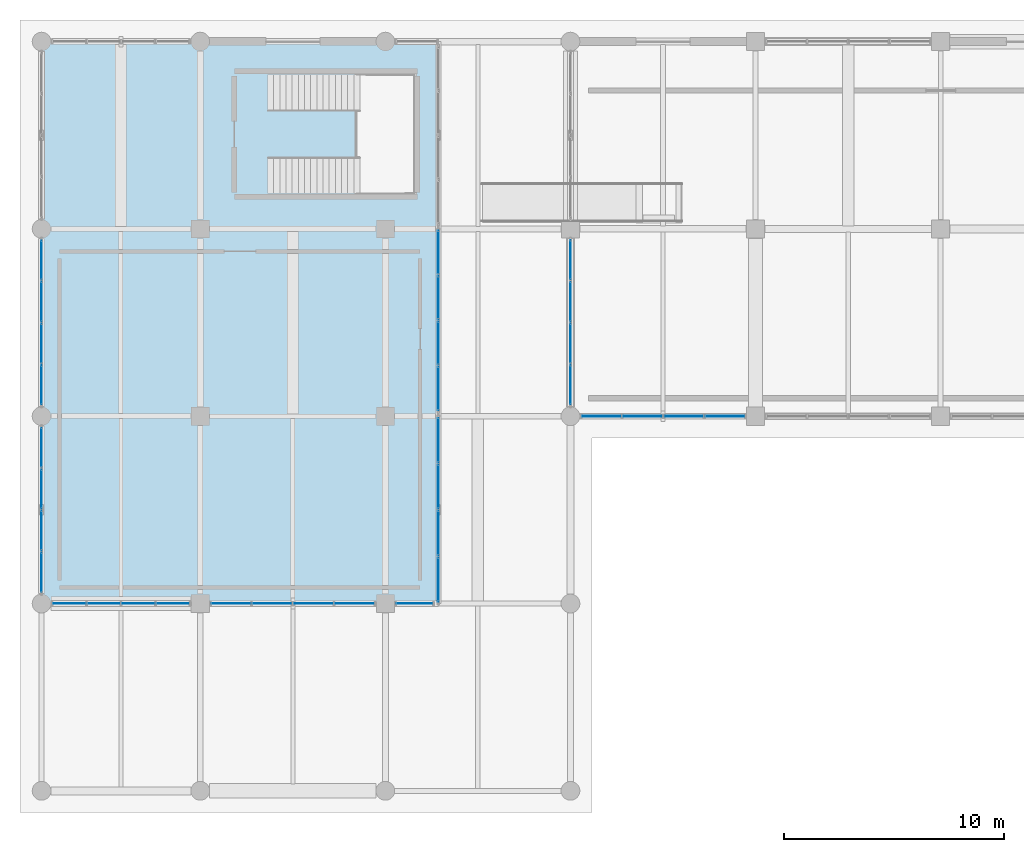
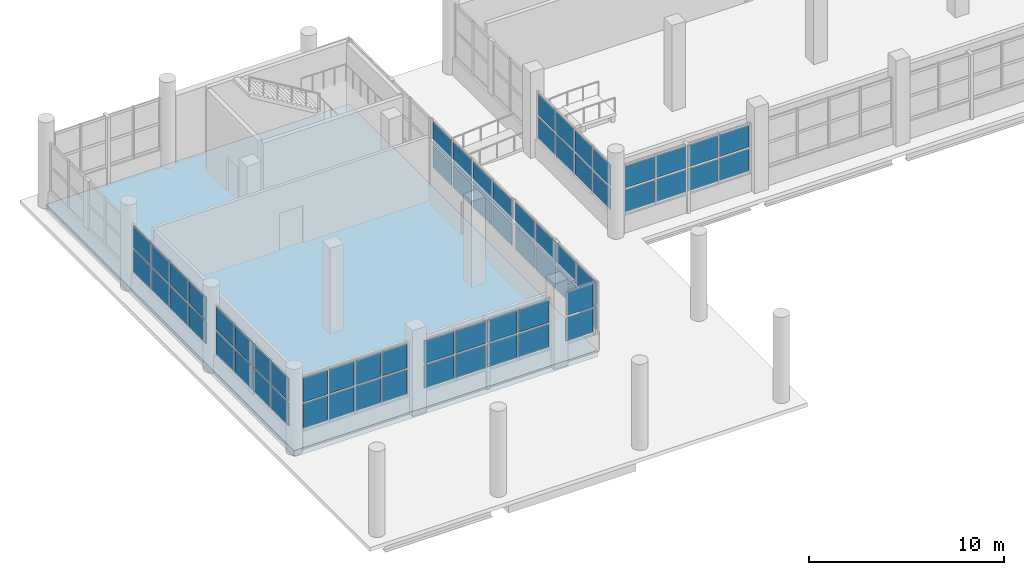
# One storey, part 77 of 107: 66 plates, 1 slab, 9 elements without a shape of their own.
"""IFC4 building model written with IfcOpenShell, lengths in metres."""

from ifc_helpers import new_model, si_unit, direction, frame, origin, origin_2d, place, context, subcontext, project, spatial, polyline, rectangle, outline, extrude, material, layer, layer_set, type_object, element, aggregate, save


model = new_model("IFC4")

# Units and contexts
model_context = context("Model", 3, precision=1e-05, world=origin(), true_north=direction((0.0, 1.0)))
body_context = subcontext(model_context, "Body", "Model", "MODEL_VIEW")
ifc_project = project(units=[si_unit("LENGTHUNIT", "METRE"), si_unit("AREAUNIT", "SQUARE_METRE"), si_unit("VOLUMEUNIT", "CUBIC_METRE"), si_unit("PLANEANGLEUNIT", "RADIAN"), si_unit("MASSUNIT", "GRAM", prefix="KILO")], contexts=[model_context])

# Site, building, storey
site_placement = place(None, origin())
site = spatial("IfcSite", under=ifc_project, at=site_placement, CompositionType="ELEMENT")
building_placement = place(site_placement, origin())
building = spatial("IfcBuilding", under=site, at=building_placement, Name="Solvento Point Concert Hall", CompositionType="ELEMENT")
storey_placement = place(building_placement, origin())
storey = spatial("IfcBuildingStorey", under=building, at=storey_placement, Name="L00", CompositionType="ELEMENT", Elevation=0.0)

# Curtain wall, plates
ifc_material_1 = material(Name="Anodized Bronze Aluminium", Category="aluminium")
curtain_wall_type = type_object("IfcCurtainWallType", Name="CurtainWall_CourtPilotis", PredefinedType="USERDEFINED", material=ifc_material_1)
curtain_wall_1_placement = place(storey_placement, origin())
curtain_wall_1 = element("IfcCurtainWall", 1, at=curtain_wall_1_placement, inside=storey, type_object=curtain_wall_type, Name="Unitised curtain wall CW-96 UCW-L00-022", ObjectType="UNITISED CURTAIN WALL", PredefinedType="USERDEFINED")
ifc_material_2 = material(Name="Hurricane Laminated Low-E Glass", Category="glass")
plate_type = type_object("IfcPlateType", Name="CurtainPanel_CourtPilotis", PredefinedType="CURTAIN_PANEL", material=ifc_material_2)
plate_1_placement = place(storey_placement, frame((25.408203125, 119.0, 1.240234375), z_axis=(0.0, 0.0, 1.0), x_axis=(1.0, 0.0, 0.0)))
plate_1 = element("IfcPlate", 2, at=plate_1_placement, type_object=plate_type, Name="Glazed curtain panel GL-06", PredefinedType="CURTAIN_PANEL", context=body_context, shape_type="SweptSolid", body=[
    extrude(rectangle(XDim=1.74609375, YDim=0.030029296875, at=origin_2d()), origin(), (0.0, 0.0, 1.0), 1.382568359375),
])
plate_2_placement = place(storey_placement, frame((25.408203125, 119.0, 2.7421875), z_axis=(0.0, 0.0, 1.0), x_axis=(1.0, 0.0, 0.0)))
plate_2 = element("IfcPlate", 3, at=plate_2_placement, type_object=plate_type, Name="Glazed curtain panel GL-06", PredefinedType="CURTAIN_PANEL", context=body_context, shape_type="SweptSolid", body=[
    extrude(rectangle(XDim=1.74609375, YDim=0.030029296875, at=origin_2d()), origin(), (0.0, 0.0, 1.0), 1.382568359375),
])
plate_3_placement = place(storey_placement, frame((27.2744140625, 119.0, 1.240234375), z_axis=(0.0, 0.0, 1.0), x_axis=(1.0, 0.0, 0.0)))
plate_3 = element("IfcPlate", 4, at=plate_3_placement, type_object=plate_type, Name="Glazed curtain panel GL-06", PredefinedType="CURTAIN_PANEL", context=body_context, shape_type="SweptSolid", body=[
    extrude(rectangle(XDim=1.74609375, YDim=0.030029296875, at=origin_2d()), origin(), (0.0, 0.0, 1.0), 1.382568359375),
])
plate_4_placement = place(storey_placement, frame((27.2744140625, 119.0, 2.7421875), z_axis=(0.0, 0.0, 1.0), x_axis=(1.0, 0.0, 0.0)))
plate_4 = element("IfcPlate", 5, at=plate_4_placement, type_object=plate_type, Name="Glazed curtain panel GL-06", PredefinedType="CURTAIN_PANEL", context=body_context, shape_type="SweptSolid", body=[
    extrude(rectangle(XDim=1.74609375, YDim=0.030029296875, at=origin_2d()), origin(), (0.0, 0.0, 1.0), 1.382568359375),
])
plate_5_placement = place(storey_placement, frame((29.140625, 119.0, 1.240234375), z_axis=(0.0, 0.0, 1.0), x_axis=(1.0, 0.0, 0.0)))
plate_5 = element("IfcPlate", 6, at=plate_5_placement, type_object=plate_type, Name="Glazed curtain panel GL-06", PredefinedType="CURTAIN_PANEL", context=body_context, shape_type="SweptSolid", body=[
    extrude(rectangle(XDim=1.74609375, YDim=0.030029296875, at=origin_2d()), origin(), (0.0, 0.0, 1.0), 1.382568359375),
])
plate_6_placement = place(storey_placement, frame((29.140625, 119.0, 2.7421875), z_axis=(0.0, 0.0, 1.0), x_axis=(1.0, 0.0, 0.0)))
plate_6 = element("IfcPlate", 7, at=plate_6_placement, type_object=plate_type, Name="Glazed curtain panel GL-06", PredefinedType="CURTAIN_PANEL", context=body_context, shape_type="SweptSolid", body=[
    extrude(rectangle(XDim=1.74609375, YDim=0.030029296875, at=origin_2d()), origin(), (0.0, 0.0, 1.0), 1.382568359375),
])
plate_7_placement = place(storey_placement, frame((31.0068359375, 119.0, 1.240234375), z_axis=(0.0, 0.0, 1.0), x_axis=(1.0, 0.0, 0.0)))
plate_7 = element("IfcPlate", 8, at=plate_7_placement, type_object=plate_type, Name="Glazed curtain panel GL-06", PredefinedType="CURTAIN_PANEL", context=body_context, shape_type="SweptSolid", body=[
    extrude(rectangle(XDim=1.74609375, YDim=0.030029296875, at=origin_2d()), origin(), (0.0, 0.0, 1.0), 1.382568359375),
])
plate_8_placement = place(storey_placement, frame((31.0068359375, 119.0, 2.7421875), z_axis=(0.0, 0.0, 1.0), x_axis=(1.0, 0.0, 0.0)))
plate_8 = element("IfcPlate", 9, at=plate_8_placement, type_object=plate_type, Name="Glazed curtain panel GL-06", PredefinedType="CURTAIN_PANEL", context=body_context, shape_type="SweptSolid", body=[
    extrude(rectangle(XDim=1.74609375, YDim=0.030029296875, at=origin_2d()), origin(), (0.0, 0.0, 1.0), 1.382568359375),
])
aggregate(curtain_wall_1, [plate_1, plate_2, plate_3, plate_4, plate_5, plate_6, plate_7, plate_8])

curtain_wall_2_placement = place(storey_placement, origin())
curtain_wall_2 = element("IfcCurtainWall", 10, at=curtain_wall_2_placement, inside=storey, type_object=curtain_wall_type, Name="Unitised curtain wall CW-96 UCW-L00-027", ObjectType="UNITISED CURTAIN WALL", PredefinedType="USERDEFINED")
plate_9_placement = place(storey_placement, frame((24.0, 120.420654296875, 1.23974609375), z_axis=(0.0, 0.0, 1.0), x_axis=(0.0, 1.0, 0.0)))
plate_9 = element("IfcPlate", 11, at=plate_9_placement, type_object=plate_type, Name="Glazed curtain panel GL-06", PredefinedType="CURTAIN_PANEL", context=body_context, shape_type="SweptSolid", body=[
    extrude(rectangle(XDim=1.771240234375, YDim=0.030029296875, at=origin_2d()), origin(), (0.0, 0.0, 1.0), 1.342041015625),
])
plate_10_placement = place(storey_placement, frame((24.0, 120.420654296875, 2.7021484375), z_axis=(0.0, 0.0, 1.0), x_axis=(0.0, 1.0, 0.0)))
plate_10 = element("IfcPlate", 12, at=plate_10_placement, type_object=plate_type, Name="Glazed curtain panel GL-06", PredefinedType="CURTAIN_PANEL", context=body_context, shape_type="SweptSolid", body=[
    extrude(rectangle(XDim=1.771240234375, YDim=0.030029296875, at=origin_2d()), origin(), (0.0, 0.0, 1.0), 1.342041015625),
])
plate_11_placement = place(storey_placement, frame((24.0, 122.31201171875, 1.23974609375), z_axis=(0.0, 0.0, 1.0), x_axis=(0.0, 1.0, 0.0)))
plate_11 = element("IfcPlate", 13, at=plate_11_placement, type_object=plate_type, Name="Glazed curtain panel GL-06", PredefinedType="CURTAIN_PANEL", context=body_context, shape_type="SweptSolid", body=[
    extrude(rectangle(XDim=1.771240234375, YDim=0.030029296875, at=origin_2d()), origin(), (0.0, 0.0, 1.0), 1.342041015625),
])
plate_12_placement = place(storey_placement, frame((24.0, 122.31201171875, 2.7021484375), z_axis=(0.0, 0.0, 1.0), x_axis=(0.0, 1.0, 0.0)))
plate_12 = element("IfcPlate", 14, at=plate_12_placement, type_object=plate_type, Name="Glazed curtain panel GL-06", PredefinedType="CURTAIN_PANEL", context=body_context, shape_type="SweptSolid", body=[
    extrude(rectangle(XDim=1.771240234375, YDim=0.030029296875, at=origin_2d()), origin(), (0.0, 0.0, 1.0), 1.342041015625),
])
plate_13_placement = place(storey_placement, frame((24.0, 124.203125, 1.23974609375), z_axis=(0.0, 0.0, 1.0), x_axis=(0.0, 1.0, 0.0)))
plate_13 = element("IfcPlate", 15, at=plate_13_placement, type_object=plate_type, Name="Glazed curtain panel GL-06", PredefinedType="CURTAIN_PANEL", context=body_context, shape_type="SweptSolid", body=[
    extrude(rectangle(XDim=1.771240234375, YDim=0.030029296875, at=origin_2d()), origin(), (0.0, 0.0, 1.0), 1.342041015625),
])
plate_14_placement = place(storey_placement, frame((24.0, 124.203125, 2.7021484375), z_axis=(0.0, 0.0, 1.0), x_axis=(0.0, 1.0, 0.0)))
plate_14 = element("IfcPlate", 16, at=plate_14_placement, type_object=plate_type, Name="Glazed curtain panel GL-06", PredefinedType="CURTAIN_PANEL", context=body_context, shape_type="SweptSolid", body=[
    extrude(rectangle(XDim=1.771240234375, YDim=0.030029296875, at=origin_2d()), origin(), (0.0, 0.0, 1.0), 1.342041015625),
])
plate_15_placement = place(storey_placement, frame((24.0, 126.094482421875, 1.23974609375), z_axis=(0.0, 0.0, 1.0), x_axis=(0.0, 1.0, 0.0)))
plate_15 = element("IfcPlate", 17, at=plate_15_placement, type_object=plate_type, Name="Glazed curtain panel GL-06", PredefinedType="CURTAIN_PANEL", context=body_context, shape_type="SweptSolid", body=[
    extrude(rectangle(XDim=1.771240234375, YDim=0.030029296875, at=origin_2d()), origin(), (0.0, 0.0, 1.0), 1.342041015625),
])
plate_16_placement = place(storey_placement, frame((24.0, 126.094482421875, 2.7021484375), z_axis=(0.0, 0.0, 1.0), x_axis=(0.0, 1.0, 0.0)))
plate_16 = element("IfcPlate", 18, at=plate_16_placement, type_object=plate_type, Name="Glazed curtain panel GL-06", PredefinedType="CURTAIN_PANEL", context=body_context, shape_type="SweptSolid", body=[
    extrude(rectangle(XDim=1.771240234375, YDim=0.030029296875, at=origin_2d()), origin(), (0.0, 0.0, 1.0), 1.342041015625),
])
aggregate(curtain_wall_2, [plate_9, plate_10, plate_11, plate_12, plate_13, plate_14, plate_15, plate_16])

curtain_wall_3_placement = place(storey_placement, origin())
curtain_wall_3 = element("IfcCurtainWall", 19, at=curtain_wall_3_placement, inside=storey, type_object=curtain_wall_type, Name="Unitised curtain wall CW-96 UCW-L00-064", ObjectType="UNITISED CURTAIN WALL", PredefinedType="USERDEFINED")
plate_17_placement = place(storey_placement, frame((18.0, 111.5849609375, 1.240234375), z_axis=(0.0, 0.0, 1.0), x_axis=(0.0, 1.0, 0.0)))
plate_17 = element("IfcPlate", 20, at=plate_17_placement, type_object=plate_type, Name="Glazed curtain panel GL-06", PredefinedType="CURTAIN_PANEL", context=body_context, shape_type="SweptSolid", body=[
    extrude(rectangle(XDim=1.989990234375, YDim=0.030029296875, at=origin_2d()), origin(), (0.0, 0.0, 1.0), 1.427001953125),
])
plate_18_placement = place(storey_placement, frame((18.0, 111.5849609375, 2.787109375), z_axis=(0.0, 0.0, 1.0), x_axis=(0.0, 1.0, 0.0)))
plate_18 = element("IfcPlate", 21, at=plate_18_placement, type_object=plate_type, Name="Glazed curtain panel GL-06", PredefinedType="CURTAIN_PANEL", context=body_context, shape_type="SweptSolid", body=[
    extrude(rectangle(XDim=1.989990234375, YDim=0.030029296875, at=origin_2d()), origin(), (0.0, 0.0, 1.0), 1.427001953125),
])
plate_19_placement = place(storey_placement, frame((18.0, 113.695068359375, 1.240234375), z_axis=(0.0, 0.0, 1.0), x_axis=(0.0, 1.0, 0.0)))
plate_19 = element("IfcPlate", 22, at=plate_19_placement, type_object=plate_type, Name="Glazed curtain panel GL-06", PredefinedType="CURTAIN_PANEL", context=body_context, shape_type="SweptSolid", body=[
    extrude(rectangle(XDim=1.989990234375, YDim=0.030029296875, at=origin_2d()), origin(), (0.0, 0.0, 1.0), 1.427001953125),
])
plate_20_placement = place(storey_placement, frame((18.0, 113.695068359375, 2.787109375), z_axis=(0.0, 0.0, 1.0), x_axis=(0.0, 1.0, 0.0)))
plate_20 = element("IfcPlate", 23, at=plate_20_placement, type_object=plate_type, Name="Glazed curtain panel GL-06", PredefinedType="CURTAIN_PANEL", context=body_context, shape_type="SweptSolid", body=[
    extrude(rectangle(XDim=1.989990234375, YDim=0.030029296875, at=origin_2d()), origin(), (0.0, 0.0, 1.0), 1.427001953125),
])
plate_21_placement = place(storey_placement, frame((18.0, 115.804931640625, 1.240234375), z_axis=(0.0, 0.0, 1.0), x_axis=(0.0, 1.0, 0.0)))
plate_21 = element("IfcPlate", 24, at=plate_21_placement, type_object=plate_type, Name="Glazed curtain panel GL-06", PredefinedType="CURTAIN_PANEL", context=body_context, shape_type="SweptSolid", body=[
    extrude(rectangle(XDim=1.989990234375, YDim=0.030029296875, at=origin_2d()), origin(), (0.0, 0.0, 1.0), 1.427001953125),
])
plate_22_placement = place(storey_placement, frame((18.0, 115.804931640625, 2.787109375), z_axis=(0.0, 0.0, 1.0), x_axis=(0.0, 1.0, 0.0)))
plate_22 = element("IfcPlate", 25, at=plate_22_placement, type_object=plate_type, Name="Glazed curtain panel GL-06", PredefinedType="CURTAIN_PANEL", context=body_context, shape_type="SweptSolid", body=[
    extrude(rectangle(XDim=1.989990234375, YDim=0.030029296875, at=origin_2d()), origin(), (0.0, 0.0, 1.0), 1.427001953125),
])
plate_23_placement = place(storey_placement, frame((18.0, 117.9150390625, 1.240234375), z_axis=(0.0, 0.0, 1.0), x_axis=(0.0, 1.0, 0.0)))
plate_23 = element("IfcPlate", 26, at=plate_23_placement, type_object=plate_type, Name="Glazed curtain panel GL-06", PredefinedType="CURTAIN_PANEL", context=body_context, shape_type="SweptSolid", body=[
    extrude(rectangle(XDim=1.989990234375, YDim=0.030029296875, at=origin_2d()), origin(), (0.0, 0.0, 1.0), 1.427001953125),
])
plate_24_placement = place(storey_placement, frame((18.0, 117.9150390625, 2.787109375), z_axis=(0.0, 0.0, 1.0), x_axis=(0.0, 1.0, 0.0)))
plate_24 = element("IfcPlate", 27, at=plate_24_placement, type_object=plate_type, Name="Glazed curtain panel GL-06", PredefinedType="CURTAIN_PANEL", context=body_context, shape_type="SweptSolid", body=[
    extrude(rectangle(XDim=1.989990234375, YDim=0.030029296875, at=origin_2d()), origin(), (0.0, 0.0, 1.0), 1.427001953125),
])
aggregate(curtain_wall_3, [plate_17, plate_18, plate_19, plate_20, plate_21, plate_22, plate_23, plate_24])

curtain_wall_4_placement = place(storey_placement, origin())
curtain_wall_4 = element("IfcCurtainWall", 28, at=curtain_wall_4_placement, inside=storey, type_object=curtain_wall_type, Name="Unitised curtain wall CW-96 UCW-L00-065", ObjectType="UNITISED CURTAIN WALL", PredefinedType="USERDEFINED")
plate_25_placement = place(storey_placement, frame((18.0, 120.251220703125, 1.240234375), z_axis=(0.0, 0.0, 1.0), x_axis=(0.0, 1.0, 0.0)))
plate_25 = element("IfcPlate", 29, at=plate_25_placement, type_object=plate_type, Name="Glazed curtain panel GL-06", PredefinedType="CURTAIN_PANEL", context=body_context, shape_type="SweptSolid", body=[
    extrude(rectangle(XDim=1.9423828125, YDim=0.030029296875, at=origin_2d()), origin(), (0.0, 0.0, 1.0), 1.382568359375),
])
plate_26_placement = place(storey_placement, frame((18.0, 120.251220703125, 2.7421875), z_axis=(0.0, 0.0, 1.0), x_axis=(0.0, 1.0, 0.0)))
plate_26 = element("IfcPlate", 30, at=plate_26_placement, type_object=plate_type, Name="Glazed curtain panel GL-06", PredefinedType="CURTAIN_PANEL", context=body_context, shape_type="SweptSolid", body=[
    extrude(rectangle(XDim=1.9423828125, YDim=0.030029296875, at=origin_2d()), origin(), (0.0, 0.0, 1.0), 1.382568359375),
])
plate_27_placement = place(storey_placement, frame((18.0, 122.313720703125, 1.240234375), z_axis=(0.0, 0.0, 1.0), x_axis=(0.0, 1.0, 0.0)))
plate_27 = element("IfcPlate", 31, at=plate_27_placement, type_object=plate_type, Name="Glazed curtain panel GL-06", PredefinedType="CURTAIN_PANEL", context=body_context, shape_type="SweptSolid", body=[
    extrude(rectangle(XDim=1.9423828125, YDim=0.030029296875, at=origin_2d()), origin(), (0.0, 0.0, 1.0), 1.382568359375),
])
plate_28_placement = place(storey_placement, frame((18.0, 122.313720703125, 2.7421875), z_axis=(0.0, 0.0, 1.0), x_axis=(0.0, 1.0, 0.0)))
plate_28 = element("IfcPlate", 32, at=plate_28_placement, type_object=plate_type, Name="Glazed curtain panel GL-06", PredefinedType="CURTAIN_PANEL", context=body_context, shape_type="SweptSolid", body=[
    extrude(rectangle(XDim=1.9423828125, YDim=0.030029296875, at=origin_2d()), origin(), (0.0, 0.0, 1.0), 1.382568359375),
])
plate_29_placement = place(storey_placement, frame((18.0, 124.376220703125, 1.240234375), z_axis=(0.0, 0.0, 1.0), x_axis=(0.0, 1.0, 0.0)))
plate_29 = element("IfcPlate", 33, at=plate_29_placement, type_object=plate_type, Name="Glazed curtain panel GL-06", PredefinedType="CURTAIN_PANEL", context=body_context, shape_type="SweptSolid", body=[
    extrude(rectangle(XDim=1.9423828125, YDim=0.030029296875, at=origin_2d()), origin(), (0.0, 0.0, 1.0), 1.382568359375),
])
plate_30_placement = place(storey_placement, frame((18.0, 124.376220703125, 2.7421875), z_axis=(0.0, 0.0, 1.0), x_axis=(0.0, 1.0, 0.0)))
plate_30 = element("IfcPlate", 34, at=plate_30_placement, type_object=plate_type, Name="Glazed curtain panel GL-06", PredefinedType="CURTAIN_PANEL", context=body_context, shape_type="SweptSolid", body=[
    extrude(rectangle(XDim=1.9423828125, YDim=0.030029296875, at=origin_2d()), origin(), (0.0, 0.0, 1.0), 1.382568359375),
])
plate_31_placement = place(storey_placement, frame((18.0, 126.438720703125, 1.240234375), z_axis=(0.0, 0.0, 1.0), x_axis=(0.0, 1.0, 0.0)))
plate_31 = element("IfcPlate", 35, at=plate_31_placement, type_object=plate_type, Name="Glazed curtain panel GL-06", PredefinedType="CURTAIN_PANEL", context=body_context, shape_type="SweptSolid", body=[
    extrude(rectangle(XDim=1.9423828125, YDim=0.030029296875, at=origin_2d()), origin(), (0.0, 0.0, 1.0), 1.382568359375),
])
plate_32_placement = place(storey_placement, frame((18.0, 126.438720703125, 2.7421875), z_axis=(0.0, 0.0, 1.0), x_axis=(0.0, 1.0, 0.0)))
plate_32 = element("IfcPlate", 36, at=plate_32_placement, type_object=plate_type, Name="Glazed curtain panel GL-06", PredefinedType="CURTAIN_PANEL", context=body_context, shape_type="SweptSolid", body=[
    extrude(rectangle(XDim=1.9423828125, YDim=0.030029296875, at=origin_2d()), origin(), (0.0, 0.0, 1.0), 1.382568359375),
])
aggregate(curtain_wall_4, [plate_25, plate_26, plate_27, plate_28, plate_29, plate_30, plate_31, plate_32])

curtain_wall_5_placement = place(storey_placement, origin())
curtain_wall_5 = element("IfcCurtainWall", 37, at=curtain_wall_5_placement, inside=storey, type_object=curtain_wall_type, Name="Unitised curtain wall CW-96 UCW-L00-067", ObjectType="UNITISED CURTAIN WALL", PredefinedType="USERDEFINED")
plate_33_placement = place(storey_placement, frame((1.258056640625, 110.5, 1.23974609375), z_axis=(0.0, 0.0, 1.0), x_axis=(1.0, 0.0, 0.0)))
plate_33 = element("IfcPlate", 38, at=plate_33_placement, type_object=plate_type, Name="Glazed curtain panel GL-06", PredefinedType="CURTAIN_PANEL", context=body_context, shape_type="SweptSolid", body=[
    extrude(rectangle(XDim=1.4462890625, YDim=0.030029296875, at=origin_2d()), origin(), (0.0, 0.0, 1.0), 1.508056640625),
])
plate_34_placement = place(storey_placement, frame((1.258056640625, 110.5, 2.8681640625), z_axis=(0.0, 0.0, 1.0), x_axis=(1.0, 0.0, 0.0)))
plate_34 = element("IfcPlate", 39, at=plate_34_placement, type_object=plate_type, Name="Glazed curtain panel GL-06", PredefinedType="CURTAIN_PANEL", context=body_context, shape_type="SweptSolid", body=[
    extrude(rectangle(XDim=1.4462890625, YDim=0.030029296875, at=origin_2d()), origin(), (0.0, 0.0, 1.0), 1.508056640625),
])
plate_35_placement = place(storey_placement, frame((2.824462890625, 110.5, 1.23974609375), z_axis=(0.0, 0.0, 1.0), x_axis=(1.0, 0.0, 0.0)))
plate_35 = element("IfcPlate", 40, at=plate_35_placement, type_object=plate_type, Name="Glazed curtain panel GL-06", PredefinedType="CURTAIN_PANEL", context=body_context, shape_type="SweptSolid", body=[
    extrude(rectangle(XDim=1.4462890625, YDim=0.030029296875, at=origin_2d()), origin(), (0.0, 0.0, 1.0), 1.508056640625),
])
plate_36_placement = place(storey_placement, frame((2.824462890625, 110.5, 2.8681640625), z_axis=(0.0, 0.0, 1.0), x_axis=(1.0, 0.0, 0.0)))
plate_36 = element("IfcPlate", 41, at=plate_36_placement, type_object=plate_type, Name="Glazed curtain panel GL-06", PredefinedType="CURTAIN_PANEL", context=body_context, shape_type="SweptSolid", body=[
    extrude(rectangle(XDim=1.4462890625, YDim=0.030029296875, at=origin_2d()), origin(), (0.0, 0.0, 1.0), 1.508056640625),
])
plate_37_placement = place(storey_placement, frame((4.390625, 110.5, 1.23974609375), z_axis=(0.0, 0.0, 1.0), x_axis=(1.0, 0.0, 0.0)))
plate_37 = element("IfcPlate", 42, at=plate_37_placement, type_object=plate_type, Name="Glazed curtain panel GL-06", PredefinedType="CURTAIN_PANEL", context=body_context, shape_type="SweptSolid", body=[
    extrude(rectangle(XDim=1.4462890625, YDim=0.030029296875, at=origin_2d()), origin(), (0.0, 0.0, 1.0), 1.508056640625),
])
plate_38_placement = place(storey_placement, frame((4.390625, 110.5, 2.8681640625), z_axis=(0.0, 0.0, 1.0), x_axis=(1.0, 0.0, 0.0)))
plate_38 = element("IfcPlate", 43, at=plate_38_placement, type_object=plate_type, Name="Glazed curtain panel GL-06", PredefinedType="CURTAIN_PANEL", context=body_context, shape_type="SweptSolid", body=[
    extrude(rectangle(XDim=1.4462890625, YDim=0.030029296875, at=origin_2d()), origin(), (0.0, 0.0, 1.0), 1.508056640625),
])
plate_39_placement = place(storey_placement, frame((5.956787109375, 110.5, 1.23974609375), z_axis=(0.0, 0.0, 1.0), x_axis=(1.0, 0.0, 0.0)))
plate_39 = element("IfcPlate", 44, at=plate_39_placement, type_object=plate_type, Name="Glazed curtain panel GL-06", PredefinedType="CURTAIN_PANEL", context=body_context, shape_type="SweptSolid", body=[
    extrude(rectangle(XDim=1.4462890625, YDim=0.030029296875, at=origin_2d()), origin(), (0.0, 0.0, 1.0), 1.508056640625),
])
plate_40_placement = place(storey_placement, frame((5.956787109375, 110.5, 2.8681640625), z_axis=(0.0, 0.0, 1.0), x_axis=(1.0, 0.0, 0.0)))
plate_40 = element("IfcPlate", 45, at=plate_40_placement, type_object=plate_type, Name="Glazed curtain panel GL-06", PredefinedType="CURTAIN_PANEL", context=body_context, shape_type="SweptSolid", body=[
    extrude(rectangle(XDim=1.4462890625, YDim=0.030029296875, at=origin_2d()), origin(), (0.0, 0.0, 1.0), 1.508056640625),
])
aggregate(curtain_wall_5, [plate_33, plate_34, plate_35, plate_36, plate_37, plate_38, plate_39, plate_40])

curtain_wall_6_placement = place(storey_placement, origin())
curtain_wall_6 = element("IfcCurtainWall", 46, at=curtain_wall_6_placement, inside=storey, type_object=curtain_wall_type, Name="Unitised curtain wall CW-96 UCW-L00-068", ObjectType="UNITISED CURTAIN WALL", PredefinedType="USERDEFINED")
plate_41_placement = place(storey_placement, frame((8.594970703125, 110.5, 1.239990234375), z_axis=(0.0, 0.0, 1.0), x_axis=(1.0, 0.0, 0.0)))
plate_41 = element("IfcPlate", 47, at=plate_41_placement, type_object=plate_type, Name="Glazed curtain panel GL-06", PredefinedType="CURTAIN_PANEL", context=body_context, shape_type="SweptSolid", body=[
    extrude(rectangle(XDim=1.75, YDim=0.030029296875, at=origin_2d()), origin(), (0.0, 0.0, 1.0), 1.412109375),
])
plate_42_placement = place(storey_placement, frame((8.594970703125, 110.5, 2.77197265625), z_axis=(0.0, 0.0, 1.0), x_axis=(1.0, 0.0, 0.0)))
plate_42 = element("IfcPlate", 48, at=plate_42_placement, type_object=plate_type, Name="Glazed curtain panel GL-06", PredefinedType="CURTAIN_PANEL", context=body_context, shape_type="SweptSolid", body=[
    extrude(rectangle(XDim=1.75, YDim=0.030029296875, at=origin_2d()), origin(), (0.0, 0.0, 1.0), 1.412109375),
])
plate_43_placement = place(storey_placement, frame((10.465087890625, 110.5, 1.239990234375), z_axis=(0.0, 0.0, 1.0), x_axis=(1.0, 0.0, 0.0)))
plate_43 = element("IfcPlate", 49, at=plate_43_placement, type_object=plate_type, Name="Glazed curtain panel GL-06", PredefinedType="CURTAIN_PANEL", context=body_context, shape_type="SweptSolid", body=[
    extrude(rectangle(XDim=1.75, YDim=0.030029296875, at=origin_2d()), origin(), (0.0, 0.0, 1.0), 1.412109375),
])
plate_44_placement = place(storey_placement, frame((10.465087890625, 110.5, 2.77197265625), z_axis=(0.0, 0.0, 1.0), x_axis=(1.0, 0.0, 0.0)))
plate_44 = element("IfcPlate", 50, at=plate_44_placement, type_object=plate_type, Name="Glazed curtain panel GL-06", PredefinedType="CURTAIN_PANEL", context=body_context, shape_type="SweptSolid", body=[
    extrude(rectangle(XDim=1.75, YDim=0.030029296875, at=origin_2d()), origin(), (0.0, 0.0, 1.0), 1.412109375),
])
plate_45_placement = place(storey_placement, frame((12.3349609375, 110.5, 1.239990234375), z_axis=(0.0, 0.0, 1.0), x_axis=(1.0, 0.0, 0.0)))
plate_45 = element("IfcPlate", 51, at=plate_45_placement, type_object=plate_type, Name="Glazed curtain panel GL-06", PredefinedType="CURTAIN_PANEL", context=body_context, shape_type="SweptSolid", body=[
    extrude(rectangle(XDim=1.75, YDim=0.030029296875, at=origin_2d()), origin(), (0.0, 0.0, 1.0), 1.412109375),
])
plate_46_placement = place(storey_placement, frame((12.3349609375, 110.5, 2.77197265625), z_axis=(0.0, 0.0, 1.0), x_axis=(1.0, 0.0, 0.0)))
plate_46 = element("IfcPlate", 52, at=plate_46_placement, type_object=plate_type, Name="Glazed curtain panel GL-06", PredefinedType="CURTAIN_PANEL", context=body_context, shape_type="SweptSolid", body=[
    extrude(rectangle(XDim=1.75, YDim=0.030029296875, at=origin_2d()), origin(), (0.0, 0.0, 1.0), 1.412109375),
])
plate_47_placement = place(storey_placement, frame((14.205078125, 110.5, 1.239990234375), z_axis=(0.0, 0.0, 1.0), x_axis=(1.0, 0.0, 0.0)))
plate_47 = element("IfcPlate", 53, at=plate_47_placement, type_object=plate_type, Name="Glazed curtain panel GL-06", PredefinedType="CURTAIN_PANEL", context=body_context, shape_type="SweptSolid", body=[
    extrude(rectangle(XDim=1.75, YDim=0.030029296875, at=origin_2d()), origin(), (0.0, 0.0, 1.0), 1.412109375),
])
plate_48_placement = place(storey_placement, frame((14.205078125, 110.5, 2.77197265625), z_axis=(0.0, 0.0, 1.0), x_axis=(1.0, 0.0, 0.0)))
plate_48 = element("IfcPlate", 54, at=plate_48_placement, type_object=plate_type, Name="Glazed curtain panel GL-06", PredefinedType="CURTAIN_PANEL", context=body_context, shape_type="SweptSolid", body=[
    extrude(rectangle(XDim=1.75, YDim=0.030029296875, at=origin_2d()), origin(), (0.0, 0.0, 1.0), 1.412109375),
])
aggregate(curtain_wall_6, [plate_41, plate_42, plate_43, plate_44, plate_45, plate_46, plate_47, plate_48])

curtain_wall_7_placement = place(storey_placement, origin())
curtain_wall_7 = element("IfcCurtainWall", 55, at=curtain_wall_7_placement, inside=storey, type_object=curtain_wall_type, Name="Unitised curtain wall CW-96 UCW-L00-069", ObjectType="UNITISED CURTAIN WALL", PredefinedType="USERDEFINED")
plate_49_placement = place(storey_placement, frame((16.919921875, 110.5, 1.240234375), z_axis=(0.0, 0.0, 1.0), x_axis=(1.0, 0.0, 0.0)))
plate_49 = element("IfcPlate", 56, at=plate_49_placement, type_object=plate_type, Name="Glazed curtain panel GL-06", PredefinedType="CURTAIN_PANEL", context=body_context, shape_type="SweptSolid", body=[
    extrude(rectangle(XDim=1.60009765625, YDim=0.030029296875, at=origin_2d()), origin(), (0.0, 0.0, 1.0), 1.465576171875),
])
plate_50_placement = place(storey_placement, frame((16.919921875, 110.5, 2.8251953125), z_axis=(0.0, 0.0, 1.0), x_axis=(1.0, 0.0, 0.0)))
plate_50 = element("IfcPlate", 57, at=plate_50_placement, type_object=plate_type, Name="Glazed curtain panel GL-06", PredefinedType="CURTAIN_PANEL", context=body_context, shape_type="SweptSolid", body=[
    extrude(rectangle(XDim=1.60009765625, YDim=0.030029296875, at=origin_2d()), origin(), (0.0, 0.0, 1.0), 1.465576171875),
])
aggregate(curtain_wall_7, [plate_49, plate_50])

curtain_wall_8_placement = place(storey_placement, origin())
curtain_wall_8 = element("IfcCurtainWall", 58, at=curtain_wall_8_placement, inside=storey, type_object=curtain_wall_type, Name="Unitised curtain wall CW-96 UCW-L00-070", ObjectType="UNITISED CURTAIN WALL", PredefinedType="USERDEFINED")
plate_51_placement = place(storey_placement, frame((0.0, 111.918701171875, 1.240234375), z_axis=(0.0, 0.0, 1.0), x_axis=(0.0, 1.0, 0.0)))
plate_51 = element("IfcPlate", 59, at=plate_51_placement, type_object=plate_type, Name="Glazed curtain panel GL-06", PredefinedType="CURTAIN_PANEL", context=body_context, shape_type="SweptSolid", body=[
    extrude(rectangle(XDim=1.767578125, YDim=0.030029296875, at=origin_2d()), origin(), (0.0, 0.0, 1.0), 1.427001953125),
])
plate_52_placement = place(storey_placement, frame((0.0, 111.918701171875, 2.787109375), z_axis=(0.0, 0.0, 1.0), x_axis=(0.0, 1.0, 0.0)))
plate_52 = element("IfcPlate", 60, at=plate_52_placement, type_object=plate_type, Name="Glazed curtain panel GL-06", PredefinedType="CURTAIN_PANEL", context=body_context, shape_type="SweptSolid", body=[
    extrude(rectangle(XDim=1.767578125, YDim=0.030029296875, at=origin_2d()), origin(), (0.0, 0.0, 1.0), 1.427001953125),
])
plate_53_placement = place(storey_placement, frame((0.0, 113.806396484375, 1.240234375), z_axis=(0.0, 0.0, 1.0), x_axis=(0.0, 1.0, 0.0)))
plate_53 = element("IfcPlate", 61, at=plate_53_placement, type_object=plate_type, Name="Glazed curtain panel GL-06", PredefinedType="CURTAIN_PANEL", context=body_context, shape_type="SweptSolid", body=[
    extrude(rectangle(XDim=1.767578125, YDim=0.030029296875, at=origin_2d()), origin(), (0.0, 0.0, 1.0), 1.427001953125),
])
plate_54_placement = place(storey_placement, frame((0.0, 113.806396484375, 2.787109375), z_axis=(0.0, 0.0, 1.0), x_axis=(0.0, 1.0, 0.0)))
plate_54 = element("IfcPlate", 62, at=plate_54_placement, type_object=plate_type, Name="Glazed curtain panel GL-06", PredefinedType="CURTAIN_PANEL", context=body_context, shape_type="SweptSolid", body=[
    extrude(rectangle(XDim=1.767578125, YDim=0.030029296875, at=origin_2d()), origin(), (0.0, 0.0, 1.0), 1.427001953125),
])
plate_55_placement = place(storey_placement, frame((0.0, 115.693603515625, 1.240234375), z_axis=(0.0, 0.0, 1.0), x_axis=(0.0, 1.0, 0.0)))
plate_55 = element("IfcPlate", 63, at=plate_55_placement, type_object=plate_type, Name="Glazed curtain panel GL-06", PredefinedType="CURTAIN_PANEL", context=body_context, shape_type="SweptSolid", body=[
    extrude(rectangle(XDim=1.767578125, YDim=0.030029296875, at=origin_2d()), origin(), (0.0, 0.0, 1.0), 1.427001953125),
])
plate_56_placement = place(storey_placement, frame((0.0, 115.693603515625, 2.787109375), z_axis=(0.0, 0.0, 1.0), x_axis=(0.0, 1.0, 0.0)))
plate_56 = element("IfcPlate", 64, at=plate_56_placement, type_object=plate_type, Name="Glazed curtain panel GL-06", PredefinedType="CURTAIN_PANEL", context=body_context, shape_type="SweptSolid", body=[
    extrude(rectangle(XDim=1.767578125, YDim=0.030029296875, at=origin_2d()), origin(), (0.0, 0.0, 1.0), 1.427001953125),
])
plate_57_placement = place(storey_placement, frame((0.0, 117.581298828125, 1.240234375), z_axis=(0.0, 0.0, 1.0), x_axis=(0.0, 1.0, 0.0)))
plate_57 = element("IfcPlate", 65, at=plate_57_placement, type_object=plate_type, Name="Glazed curtain panel GL-06", PredefinedType="CURTAIN_PANEL", context=body_context, shape_type="SweptSolid", body=[
    extrude(rectangle(XDim=1.767578125, YDim=0.030029296875, at=origin_2d()), origin(), (0.0, 0.0, 1.0), 1.427001953125),
])
plate_58_placement = place(storey_placement, frame((0.0, 117.581298828125, 2.787109375), z_axis=(0.0, 0.0, 1.0), x_axis=(0.0, 1.0, 0.0)))
plate_58 = element("IfcPlate", 66, at=plate_58_placement, type_object=plate_type, Name="Glazed curtain panel GL-06", PredefinedType="CURTAIN_PANEL", context=body_context, shape_type="SweptSolid", body=[
    extrude(rectangle(XDim=1.767578125, YDim=0.030029296875, at=origin_2d()), origin(), (0.0, 0.0, 1.0), 1.427001953125),
])
aggregate(curtain_wall_8, [plate_51, plate_52, plate_53, plate_54, plate_55, plate_56, plate_57, plate_58])

curtain_wall_9_placement = place(storey_placement, origin())
curtain_wall_9 = element("IfcCurtainWall", 67, at=curtain_wall_9_placement, inside=storey, type_object=curtain_wall_type, Name="Unitised curtain wall CW-96 UCW-L00-071", ObjectType="UNITISED CURTAIN WALL", PredefinedType="USERDEFINED")
plate_59_placement = place(storey_placement, frame((0.0, 120.418701171875, 1.240234375), z_axis=(0.0, 0.0, 1.0), x_axis=(0.0, 1.0, 0.0)))
plate_59 = element("IfcPlate", 68, at=plate_59_placement, type_object=plate_type, Name="Glazed curtain panel GL-06", PredefinedType="CURTAIN_PANEL", context=body_context, shape_type="SweptSolid", body=[
    extrude(rectangle(XDim=1.767578125, YDim=0.030029296875, at=origin_2d()), origin(), (0.0, 0.0, 1.0), 1.382568359375),
])
plate_60_placement = place(storey_placement, frame((0.0, 120.418701171875, 2.7421875), z_axis=(0.0, 0.0, 1.0), x_axis=(0.0, 1.0, 0.0)))
plate_60 = element("IfcPlate", 69, at=plate_60_placement, type_object=plate_type, Name="Glazed curtain panel GL-06", PredefinedType="CURTAIN_PANEL", context=body_context, shape_type="SweptSolid", body=[
    extrude(rectangle(XDim=1.767578125, YDim=0.030029296875, at=origin_2d()), origin(), (0.0, 0.0, 1.0), 1.382568359375),
])
plate_61_placement = place(storey_placement, frame((0.0, 122.306396484375, 1.240234375), z_axis=(0.0, 0.0, 1.0), x_axis=(0.0, 1.0, 0.0)))
plate_61 = element("IfcPlate", 70, at=plate_61_placement, type_object=plate_type, Name="Glazed curtain panel GL-06", PredefinedType="CURTAIN_PANEL", context=body_context, shape_type="SweptSolid", body=[
    extrude(rectangle(XDim=1.767578125, YDim=0.030029296875, at=origin_2d()), origin(), (0.0, 0.0, 1.0), 1.382568359375),
])
plate_62_placement = place(storey_placement, frame((0.0, 122.306396484375, 2.7421875), z_axis=(0.0, 0.0, 1.0), x_axis=(0.0, 1.0, 0.0)))
plate_62 = element("IfcPlate", 71, at=plate_62_placement, type_object=plate_type, Name="Glazed curtain panel GL-06", PredefinedType="CURTAIN_PANEL", context=body_context, shape_type="SweptSolid", body=[
    extrude(rectangle(XDim=1.767578125, YDim=0.030029296875, at=origin_2d()), origin(), (0.0, 0.0, 1.0), 1.382568359375),
])
plate_63_placement = place(storey_placement, frame((0.0, 124.193603515625, 1.240234375), z_axis=(0.0, 0.0, 1.0), x_axis=(0.0, 1.0, 0.0)))
plate_63 = element("IfcPlate", 72, at=plate_63_placement, type_object=plate_type, Name="Glazed curtain panel GL-06", PredefinedType="CURTAIN_PANEL", context=body_context, shape_type="SweptSolid", body=[
    extrude(rectangle(XDim=1.767578125, YDim=0.030029296875, at=origin_2d()), origin(), (0.0, 0.0, 1.0), 1.382568359375),
])
plate_64_placement = place(storey_placement, frame((0.0, 124.193603515625, 2.7421875), z_axis=(0.0, 0.0, 1.0), x_axis=(0.0, 1.0, 0.0)))
plate_64 = element("IfcPlate", 73, at=plate_64_placement, type_object=plate_type, Name="Glazed curtain panel GL-06", PredefinedType="CURTAIN_PANEL", context=body_context, shape_type="SweptSolid", body=[
    extrude(rectangle(XDim=1.767578125, YDim=0.030029296875, at=origin_2d()), origin(), (0.0, 0.0, 1.0), 1.382568359375),
])
plate_65_placement = place(storey_placement, frame((0.0, 126.081298828125, 1.240234375), z_axis=(0.0, 0.0, 1.0), x_axis=(0.0, 1.0, 0.0)))
plate_65 = element("IfcPlate", 74, at=plate_65_placement, type_object=plate_type, Name="Glazed curtain panel GL-06", PredefinedType="CURTAIN_PANEL", context=body_context, shape_type="SweptSolid", body=[
    extrude(rectangle(XDim=1.767578125, YDim=0.030029296875, at=origin_2d()), origin(), (0.0, 0.0, 1.0), 1.382568359375),
])
plate_66_placement = place(storey_placement, frame((0.0, 126.081298828125, 2.7421875), z_axis=(0.0, 0.0, 1.0), x_axis=(0.0, 1.0, 0.0)))
plate_66 = element("IfcPlate", 75, at=plate_66_placement, type_object=plate_type, Name="Glazed curtain panel GL-06", PredefinedType="CURTAIN_PANEL", context=body_context, shape_type="SweptSolid", body=[
    extrude(rectangle(XDim=1.767578125, YDim=0.030029296875, at=origin_2d()), origin(), (0.0, 0.0, 1.0), 1.382568359375),
])
aggregate(curtain_wall_9, [plate_59, plate_60, plate_61, plate_62, plate_63, plate_64, plate_65, plate_66])

# Slab
ifc_material_3 = material(Name="Concrete C35/45", Category="concrete")
ifc_layer = layer(ifc_material_3, 0.409912109375)
ifc_layer_set = layer_set([ifc_layer], Name="Concrete C35/45")
slab_type = type_object("IfcSlabType", Name="FloorSlab_405_Ground", PredefinedType="FLOOR", material=ifc_layer_set)
slab_placement = place(storey_placement, frame((0.0, 0.0, -0.409912109375)))
element("IfcSlab", 76, at=slab_placement, inside=storey, type_object=slab_type, Name="Structural slab SL-G40 SLAB-L00-V4W", PredefinedType="FLOOR", context=body_context, shape_type="SweptSolid", body=[
    extrude(outline(polyline([(0.0, 136.0), (18.0, 136.0), (18.0, 110.5), (0.0, 110.5), (0.0, 136.0)])), origin(), (0.0, 0.0, 1.0), 0.409912109375),
])

save(model, "model.ifc")
